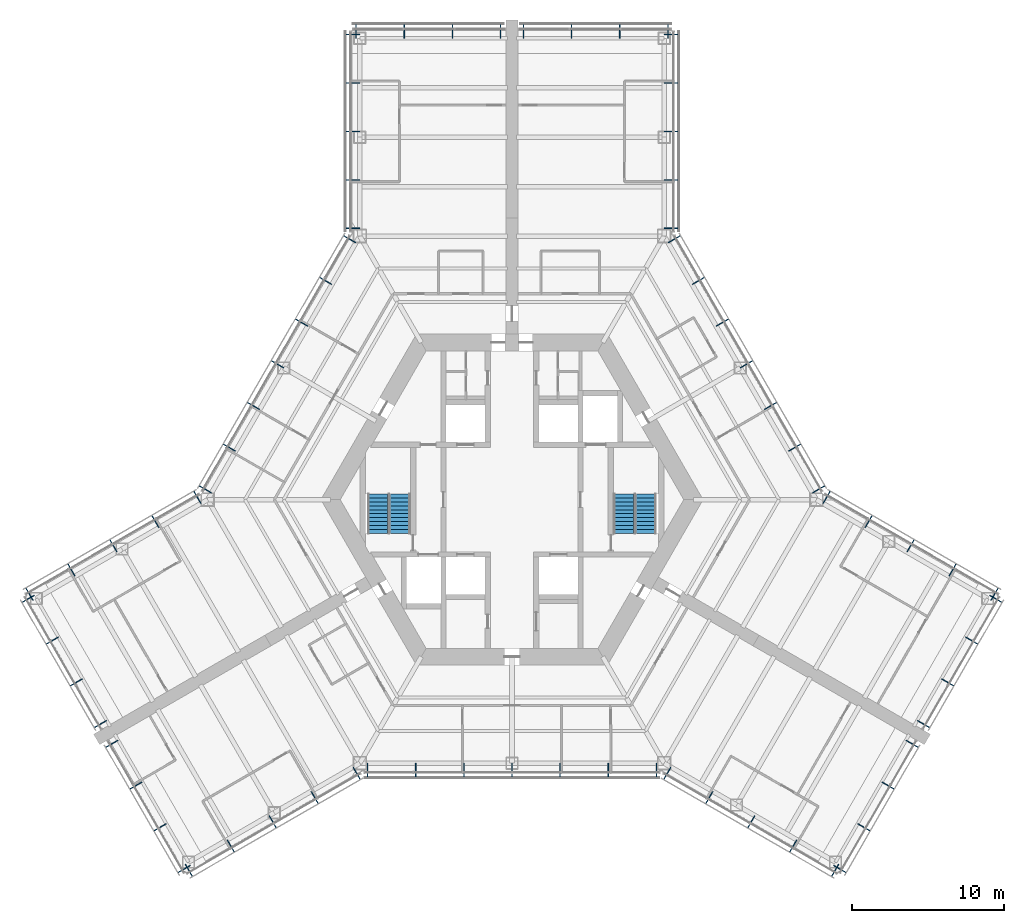
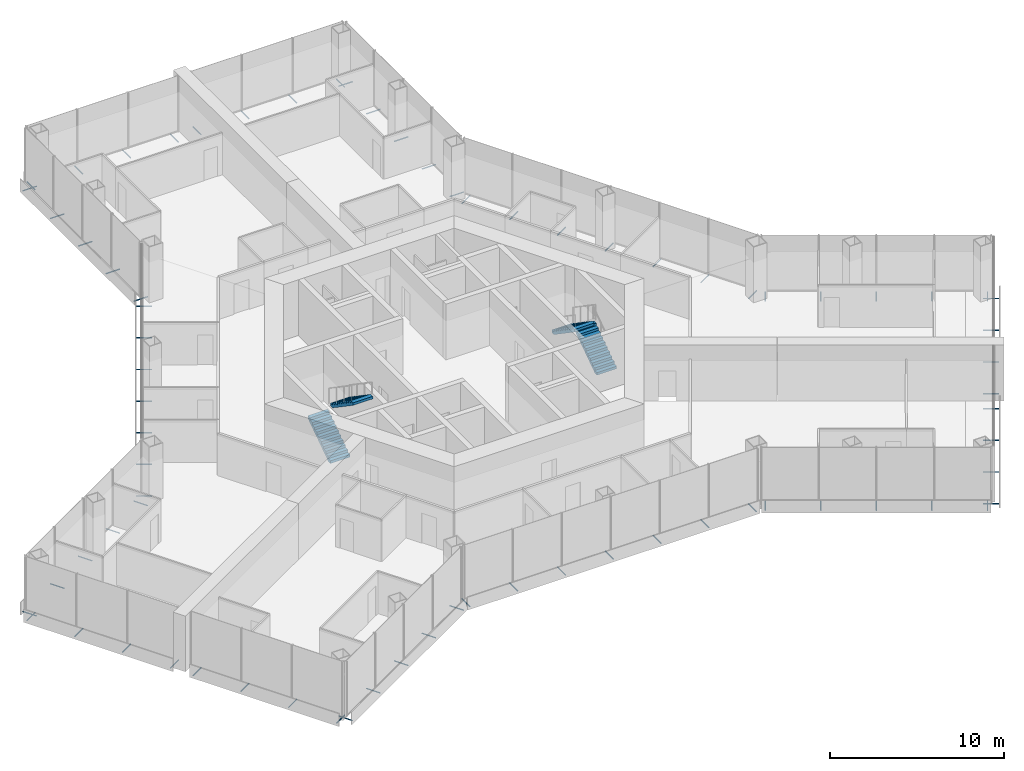
# One storey, part 16 of 18: 75 discrete accessories, 4 stair flights, 2 elements without a shape of their own.
"""IFC4 building model written with IfcOpenShell, lengths in metres."""

from ifc_helpers import new_model, si_unit, direction, frame, origin, origin_2d, place, context, subcontext, project, spatial, polyline, hollow_circle, outline, extrude, material, material_profile, profile_set, type_object, element, aggregate, save


model = new_model("IFC4")

# Units and contexts
model_context = context("Model", 3, precision=1e-05, world=origin(), true_north=direction((0.0, 1.0)))
body_context = subcontext(model_context, "Body", "Model", "MODEL_VIEW")
ifc_project = project(units=[si_unit("LENGTHUNIT", "METRE"), si_unit("AREAUNIT", "SQUARE_METRE"), si_unit("VOLUMEUNIT", "CUBIC_METRE"), si_unit("PLANEANGLEUNIT", "RADIAN"), si_unit("MASSUNIT", "GRAM", prefix="KILO")], contexts=[model_context])

# Site, building, storey
site_placement = place(None, origin())
site = spatial("IfcSite", under=ifc_project, at=site_placement, CompositionType="ELEMENT")
building_placement = place(site_placement, origin())
building = spatial("IfcBuilding", under=site, at=building_placement, Name="Kasaneha Research Tower", CompositionType="ELEMENT")
storey_placement = place(building_placement, frame((0.0, 0.0, 115.800048828125)))
storey = spatial("IfcBuildingStorey", under=building, at=storey_placement, Name="L29", CompositionType="ELEMENT", Elevation=115.800048828125)

# Stair, stair flights
ifc_material_1 = material(Name="Concrete Fc24", Category="concrete")
stair_type = type_object("IfcStairType", Name="Half-turn stair 22 risers", PredefinedType="HALF_TURN_STAIR", material=ifc_material_1)
stair_1_placement = place(storey_placement, origin())
stair_1 = element("IfcStair", 1, at=stair_1_placement, inside=storey, type_object=stair_type, Name="Stair 1 L29", PredefinedType="HALF_TURN_STAIR")
ifc_material_2 = material(Name="Concrete Fc24", Category="concrete")
stair_flight_type = type_object("IfcStairFlightType", Name="Stair flight 11 risers 177.3", PredefinedType="STRAIGHT", material=ifc_material_2)
stair_flight_1_placement = place(storey_placement, frame((8.824951171875, -2.22509765625, 0.0), z_axis=(0.0, 0.0, 1.0), x_axis=(0.0, 1.0, 0.0)))
stair_flight_1 = element("IfcStairFlight", 2, at=stair_flight_1_placement, type_object=stair_flight_type, Name="ST1-22R flight 1", NumberOfRisers=11, NumberOfTreads=10, PredefinedType="STRAIGHT", RiserHeight=0.177272727, TreadLength=0.26, context=body_context, shape_type="SweptSolid", body=[
    extrude(outline(polyline([(0.0, 0.0), (0.0, 0.17724609375), (0.260009765625, 0.17724609375), (0.260009765625, 0.3544921875), (0.52001953125, 0.3544921875), (0.52001953125, 0.53173828125), (0.780029296875, 0.53173828125), (0.780029296875, 0.708984375), (1.0400390625, 0.708984375), (1.0400390625, 0.886474609375), (1.300048828125, 0.886474609375), (1.300048828125, 1.063720703125), (1.56005859375, 1.063720703125), (1.56005859375, 1.240966796875), (1.820068359375, 1.240966796875), (1.820068359375, 1.418212890625), (2.080078125, 1.418212890625), (2.080078125, 1.595458984375), (2.340087890625, 1.595458984375), (2.340087890625, 1.772705078125), (2.60009765625, 1.772705078125), (2.60009765625, 1.949951171875), (2.60009765625, 1.59130859375), (0.26611328125, 0.0), (0.0, 0.0)])), frame((0.0, 0.64990234375, 0.0), z_axis=(0.0, -1.0, 0.0), x_axis=(1.0, 0.0, 0.0)), (0.0, 0.0, 1.0), 1.300048828125),
])
stair_flight_2_placement = place(storey_placement, frame((7.324951171875, 0.375, 1.949951171875), z_axis=(0.0, 0.0, 1.0), x_axis=(0.0, -1.0, 0.0)))
stair_flight_2 = element("IfcStairFlight", 3, at=stair_flight_2_placement, type_object=stair_flight_type, Name="ST1-22R flight 2", NumberOfRisers=11, NumberOfTreads=10, PredefinedType="STRAIGHT", RiserHeight=0.177272727, TreadLength=0.26, context=body_context, shape_type="SweptSolid", body=[
    extrude(outline(polyline([(0.0, 0.0), (0.0, 0.17724609375), (0.260009765625, 0.17724609375), (0.260009765625, 0.3544921875), (0.52001953125, 0.3544921875), (0.52001953125, 0.53173828125), (0.780029296875, 0.53173828125), (0.780029296875, 0.708984375), (1.0400390625, 0.708984375), (1.0400390625, 0.886474609375), (1.300048828125, 0.886474609375), (1.300048828125, 1.063720703125), (1.56005859375, 1.063720703125), (1.56005859375, 1.240966796875), (1.820068359375, 1.240966796875), (1.820068359375, 1.418212890625), (2.080078125, 1.418212890625), (2.080078125, 1.595458984375), (2.340087890625, 1.595458984375), (2.340087890625, 1.772705078125), (2.60009765625, 1.772705078125), (2.60009765625, 1.949951171875), (2.60009765625, 1.59130859375), (0.26611328125, 0.0), (0.0, 0.0)])), frame((0.0, 0.64990234375, 0.0), z_axis=(0.0, -1.0, 0.0), x_axis=(1.0, 0.0, 0.0)), (0.0, 0.0, 1.0), 1.300048828125),
])
aggregate(stair_1, [stair_flight_1, stair_flight_2])

stair_2_placement = place(storey_placement, origin())
stair_2 = element("IfcStair", 4, at=stair_2_placement, inside=storey, type_object=stair_type, Name="Stair 2 L29", PredefinedType="HALF_TURN_STAIR")
stair_flight_3_placement = place(storey_placement, frame((-8.824951171875, -2.22509765625, 0.0), z_axis=(0.0, 0.0, 1.0), x_axis=(0.0, 1.0, 0.0)))
stair_flight_3 = element("IfcStairFlight", 5, at=stair_flight_3_placement, type_object=stair_flight_type, Name="ST2-22R flight 1", NumberOfRisers=11, NumberOfTreads=10, PredefinedType="STRAIGHT", RiserHeight=0.177272727, TreadLength=0.26, context=body_context, shape_type="SweptSolid", body=[
    extrude(outline(polyline([(0.0, 0.0), (0.0, 0.17724609375), (0.260009765625, 0.17724609375), (0.260009765625, 0.3544921875), (0.52001953125, 0.3544921875), (0.52001953125, 0.53173828125), (0.780029296875, 0.53173828125), (0.780029296875, 0.708984375), (1.0400390625, 0.708984375), (1.0400390625, 0.886474609375), (1.300048828125, 0.886474609375), (1.300048828125, 1.063720703125), (1.56005859375, 1.063720703125), (1.56005859375, 1.240966796875), (1.820068359375, 1.240966796875), (1.820068359375, 1.418212890625), (2.080078125, 1.418212890625), (2.080078125, 1.595458984375), (2.340087890625, 1.595458984375), (2.340087890625, 1.772705078125), (2.60009765625, 1.772705078125), (2.60009765625, 1.949951171875), (2.60009765625, 1.59130859375), (0.26611328125, 0.0), (0.0, 0.0)])), frame((0.0, 0.64990234375, 0.0), z_axis=(0.0, -1.0, 0.0), x_axis=(1.0, 0.0, 0.0)), (0.0, 0.0, 1.0), 1.300048828125),
])
stair_flight_4_placement = place(storey_placement, frame((-7.324951171875, 0.375, 1.949951171875), z_axis=(0.0, 0.0, 1.0), x_axis=(0.0, -1.0, 0.0)))
stair_flight_4 = element("IfcStairFlight", 6, at=stair_flight_4_placement, type_object=stair_flight_type, Name="ST2-22R flight 2", NumberOfRisers=11, NumberOfTreads=10, PredefinedType="STRAIGHT", RiserHeight=0.177272727, TreadLength=0.26, context=body_context, shape_type="SweptSolid", body=[
    extrude(outline(polyline([(0.0, 0.0), (0.0, 0.17724609375), (0.260009765625, 0.17724609375), (0.260009765625, 0.3544921875), (0.52001953125, 0.3544921875), (0.52001953125, 0.53173828125), (0.780029296875, 0.53173828125), (0.780029296875, 0.708984375), (1.0400390625, 0.708984375), (1.0400390625, 0.886474609375), (1.300048828125, 0.886474609375), (1.300048828125, 1.063720703125), (1.56005859375, 1.063720703125), (1.56005859375, 1.240966796875), (1.820068359375, 1.240966796875), (1.820068359375, 1.418212890625), (2.080078125, 1.418212890625), (2.080078125, 1.595458984375), (2.340087890625, 1.595458984375), (2.340087890625, 1.772705078125), (2.60009765625, 1.772705078125), (2.60009765625, 1.949951171875), (2.60009765625, 1.59130859375), (0.26611328125, 0.0), (0.0, 0.0)])), frame((0.0, 0.64990234375, 0.0), z_axis=(0.0, -1.0, 0.0), x_axis=(1.0, 0.0, 0.0)), (0.0, 0.0, 1.0), 1.300048828125),
])
aggregate(stair_2, [stair_flight_3, stair_flight_4])

# Discrete accessories
ifc_material_3 = material(Name="Steel STK400", Category="steel")
ifc_material_profile = material_profile(ifc_material_3, hollow_circle(Radius=0.0380859375, WallThickness=0.00390625, at=origin_2d()), Name="CHS-76.3x4.0")
ifc_profile_set = profile_set([ifc_material_profile], Name="Steel STK400")
discrete_accessory_type = type_object("IfcDiscreteAccessoryType", Name="Screen bracket CHS-76.3x4.0", PredefinedType="BRACKET", material=ifc_profile_set)
discrete_accessory_1_placement = place(storey_placement, frame((-21.474853515625, -23.945556640625, -0.300048828125), z_axis=(0.500021113727, -0.866013213425, 0.0), x_axis=(0.866013213425, 0.500021113727, 0.0)))
element("IfcDiscreteAccessory", 7, at=discrete_accessory_1_placement, inside=storey, type_object=discrete_accessory_type, Name="Screen bracket 1", PredefinedType="BRACKET", context=body_context, shape_type="SweptSolid", body=[
    extrude(hollow_circle(Radius=0.0380859375, WallThickness=0.00390625, at=origin_2d()), origin(), (0.0, 0.0, 1.0), 0.919921875),
])
discrete_accessory_2_placement = place(storey_placement, frame((-18.716796875, -22.35302734375, -0.300048828125), z_axis=(0.500105201737, -0.865964657013, 0.0), x_axis=(0.865964657013, 0.500105201737, 0.0)))
element("IfcDiscreteAccessory", 8, at=discrete_accessory_2_placement, inside=storey, type_object=discrete_accessory_type, Name="Screen bracket 2", PredefinedType="BRACKET", context=body_context, shape_type="SweptSolid", body=[
    extrude(hollow_circle(Radius=0.0380859375, WallThickness=0.00390625, at=origin_2d()), origin(), (0.0, 0.0, 1.0), 0.920166015625),
])
discrete_accessory_3_placement = place(storey_placement, frame((-15.95849609375, -20.7607421875, -0.300048828125), z_axis=(0.500021113727, -0.866013213425, 0.0), x_axis=(0.866013213425, 0.500021113727, 0.0)))
element("IfcDiscreteAccessory", 9, at=discrete_accessory_3_placement, inside=storey, type_object=discrete_accessory_type, Name="Screen bracket 3", PredefinedType="BRACKET", context=body_context, shape_type="SweptSolid", body=[
    extrude(hollow_circle(Radius=0.0380859375, WallThickness=0.00390625, at=origin_2d()), origin(), (0.0, 0.0, 1.0), 0.919921875),
])
discrete_accessory_4_placement = place(storey_placement, frame((-13.200439453125, -19.168212890625, -0.300048828125), z_axis=(0.499906209203, -0.866079547155, 0.0), x_axis=(0.866079547155, 0.499906209203, 0.0)))
element("IfcDiscreteAccessory", 10, at=discrete_accessory_4_placement, inside=storey, type_object=discrete_accessory_type, Name="Screen bracket 4", PredefinedType="BRACKET", context=body_context, shape_type="SweptSolid", body=[
    extrude(hollow_circle(Radius=0.0380859375, WallThickness=0.00390625, at=origin_2d()), origin(), (0.0, 0.0, 1.0), 0.920166015625),
])
for number, where, z_axis, x_axis, name in (
    (11, (-10.4423828125, -17.575927734375, -0.300048828125), (0.500021113727, -0.866013213425, 0.0), (0.866013213425, 0.500021113727, 0.0), "Screen bracket 5"),
    (12, (-9.4892578125, -17.320556640625, -0.300048828125), (0.0, -1.0, 0.0), (1.0, 0.0, 0.0), "Screen bracket 1"),
    (13, (-6.326171875, -17.320556640625, -0.300048828125), (0.0, -1.0, 0.0), (1.0, 0.0, 0.0), "Screen bracket 2"),
    (14, (-3.1630859375, -17.320556640625, -0.300048828125), (0.0, -1.0, 0.0), (1.0, 0.0, 0.0), "Screen bracket 3"),
    (15, (0.0, -17.320556640625, -0.300048828125), (0.0, -1.0, 0.0), (1.0, 0.0, 0.0), "Screen bracket 4"),
    (16, (3.1630859375, -17.320556640625, -0.300048828125), (0.0, -1.0, 0.0), (1.0, 0.0, 0.0), "Screen bracket 5"),
    (17, (6.326171875, -17.320556640625, -0.300048828125), (0.0, -1.0, 0.0), (1.0, 0.0, 0.0), "Screen bracket 6"),
    (18, (9.4892578125, -17.320556640625, -0.300048828125), (0.0, -1.0, 0.0), (1.0, 0.0, 0.0), "Screen bracket 7"),
    (19, (10.4423828125, -17.575927734375, -0.300048828125), (-0.500021113727, -0.866013213425, 0.0), (0.866013213425, -0.500021113727, 0.0), "Screen bracket 1"),
):
    element("IfcDiscreteAccessory", number, at=place(storey_placement, frame(where, z_axis=z_axis, x_axis=x_axis)), inside=storey, type_object=discrete_accessory_type, Name=name, PredefinedType="BRACKET", context=body_context, shape_type="SweptSolid", body=[
        extrude(hollow_circle(Radius=0.0380859375, WallThickness=0.00390625, at=origin_2d()), origin(), (0.0, 0.0, 1.0), 0.919921875),
    ])
discrete_accessory_5_placement = place(storey_placement, frame((13.200439453125, -19.168212890625, -0.300048828125), z_axis=(-0.499906209203, -0.866079547155, 0.0), x_axis=(0.866079547155, -0.499906209203, 0.0)))
element("IfcDiscreteAccessory", 20, at=discrete_accessory_5_placement, inside=storey, type_object=discrete_accessory_type, Name="Screen bracket 2", PredefinedType="BRACKET", context=body_context, shape_type="SweptSolid", body=[
    extrude(hollow_circle(Radius=0.0380859375, WallThickness=0.00390625, at=origin_2d()), origin(), (0.0, 0.0, 1.0), 0.920166015625),
])
discrete_accessory_6_placement = place(storey_placement, frame((15.95849609375, -20.7607421875, -0.300048828125), z_axis=(-0.500021113727, -0.866013213425, 0.0), x_axis=(0.866013213425, -0.500021113727, 0.0)))
element("IfcDiscreteAccessory", 21, at=discrete_accessory_6_placement, inside=storey, type_object=discrete_accessory_type, Name="Screen bracket 3", PredefinedType="BRACKET", context=body_context, shape_type="SweptSolid", body=[
    extrude(hollow_circle(Radius=0.0380859375, WallThickness=0.00390625, at=origin_2d()), origin(), (0.0, 0.0, 1.0), 0.919921875),
])
discrete_accessory_7_placement = place(storey_placement, frame((18.716796875, -22.35302734375, -0.300048828125), z_axis=(-0.500105201737, -0.865964657013, 0.0), x_axis=(0.865964657013, -0.500105201737, 0.0)))
element("IfcDiscreteAccessory", 22, at=discrete_accessory_7_placement, inside=storey, type_object=discrete_accessory_type, Name="Screen bracket 4", PredefinedType="BRACKET", context=body_context, shape_type="SweptSolid", body=[
    extrude(hollow_circle(Radius=0.0380859375, WallThickness=0.00390625, at=origin_2d()), origin(), (0.0, 0.0, 1.0), 0.920166015625),
])
discrete_accessory_8_placement = place(storey_placement, frame((21.474853515625, -23.945556640625, -0.300048828125), z_axis=(-0.500021113727, -0.866013213425, 0.0), x_axis=(0.866013213425, -0.500021113727, 0.0)))
element("IfcDiscreteAccessory", 23, at=discrete_accessory_8_placement, inside=storey, type_object=discrete_accessory_type, Name="Screen bracket 5", PredefinedType="BRACKET", context=body_context, shape_type="SweptSolid", body=[
    extrude(hollow_circle(Radius=0.0380859375, WallThickness=0.00390625, at=origin_2d()), origin(), (0.0, 0.0, 1.0), 0.919921875),
])
for number, where, z_axis, x_axis, name in (
    (24, (21.13330078125, -24.037109375, -0.300048828125), (0.866079547155, -0.499906209203, 0.0), (0.499906209203, 0.866079547155, 0.0), "Screen bracket 1"),
    (25, (22.716552734375, -21.294677734375, -0.300048828125), (0.866079547155, -0.499906209203, 0.0), (0.499906209203, 0.866079547155, 0.0), "Screen bracket 2"),
):
    element("IfcDiscreteAccessory", number, at=place(storey_placement, frame(where, z_axis=z_axis, x_axis=x_axis)), inside=storey, type_object=discrete_accessory_type, Name=name, PredefinedType="BRACKET", context=body_context, shape_type="SweptSolid", body=[
        extrude(hollow_circle(Radius=0.0380859375, WallThickness=0.00390625, at=origin_2d()), origin(), (0.0, 0.0, 1.0), 0.920166015625),
    ])
discrete_accessory_9_placement = place(storey_placement, frame((24.300048828125, -18.55224609375, -0.300048828125), z_axis=(0.866013213425, -0.500021113727, 0.0), x_axis=(0.500021113727, 0.866013213425, 0.0)))
element("IfcDiscreteAccessory", 26, at=discrete_accessory_9_placement, inside=storey, type_object=discrete_accessory_type, Name="Screen bracket 3", PredefinedType="BRACKET", context=body_context, shape_type="SweptSolid", body=[
    extrude(hollow_circle(Radius=0.0380859375, WallThickness=0.00390625, at=origin_2d()), origin(), (0.0, 0.0, 1.0), 0.919921875),
])
for number, where, z_axis, x_axis, name in (
    (27, (25.88330078125, -15.809814453125, -0.300048828125), (0.866079547155, -0.499906209203, 0.0), (0.499906209203, 0.866079547155, 0.0), "Screen bracket 4"),
    (28, (26.63330078125, -14.5107421875, -0.300048828125), (0.866079547155, -0.499906209203, 0.0), (0.499906209203, 0.866079547155, 0.0), "Screen bracket 1"),
    (29, (28.216552734375, -11.768310546875, -0.300048828125), (0.866079547155, -0.499906209203, 0.0), (0.499906209203, 0.866079547155, 0.0), "Screen bracket 2"),
):
    element("IfcDiscreteAccessory", number, at=place(storey_placement, frame(where, z_axis=z_axis, x_axis=x_axis)), inside=storey, type_object=discrete_accessory_type, Name=name, PredefinedType="BRACKET", context=body_context, shape_type="SweptSolid", body=[
        extrude(hollow_circle(Radius=0.0380859375, WallThickness=0.00390625, at=origin_2d()), origin(), (0.0, 0.0, 1.0), 0.920166015625),
    ])
discrete_accessory_10_placement = place(storey_placement, frame((29.800048828125, -9.02587890625, -0.300048828125), z_axis=(0.866013213425, -0.500021113727, 0.0), x_axis=(0.500021113727, 0.866013213425, 0.0)))
element("IfcDiscreteAccessory", 30, at=discrete_accessory_10_placement, inside=storey, type_object=discrete_accessory_type, Name="Screen bracket 3", PredefinedType="BRACKET", context=body_context, shape_type="SweptSolid", body=[
    extrude(hollow_circle(Radius=0.0380859375, WallThickness=0.00390625, at=origin_2d()), origin(), (0.0, 0.0, 1.0), 0.919921875),
])
discrete_accessory_11_placement = place(storey_placement, frame((31.38330078125, -6.283447265625, -0.300048828125), z_axis=(0.866079547155, -0.499906209203, 0.0), x_axis=(0.499906209203, 0.866079547155, 0.0)))
element("IfcDiscreteAccessory", 31, at=discrete_accessory_11_placement, inside=storey, type_object=discrete_accessory_type, Name="Screen bracket 4", PredefinedType="BRACKET", context=body_context, shape_type="SweptSolid", body=[
    extrude(hollow_circle(Radius=0.0380859375, WallThickness=0.00390625, at=origin_2d()), origin(), (0.0, 0.0, 1.0), 0.920166015625),
])
discrete_accessory_12_placement = place(storey_placement, frame((31.474853515625, -6.625, -0.300048828125), z_axis=(0.500021113727, 0.866013213425, 0.0), x_axis=(-0.866013213425, 0.500021113727, 0.0)))
element("IfcDiscreteAccessory", 32, at=discrete_accessory_12_placement, inside=storey, type_object=discrete_accessory_type, Name="Screen bracket 1", PredefinedType="BRACKET", context=body_context, shape_type="SweptSolid", body=[
    extrude(hollow_circle(Radius=0.0380859375, WallThickness=0.00390625, at=origin_2d()), origin(), (0.0, 0.0, 1.0), 0.919921875),
])
discrete_accessory_13_placement = place(storey_placement, frame((28.716796875, -5.03271484375, -0.300048828125), z_axis=(0.499906209203, 0.866079547155, 0.0), x_axis=(-0.866079547155, 0.499906209203, 0.0)))
element("IfcDiscreteAccessory", 33, at=discrete_accessory_13_placement, inside=storey, type_object=discrete_accessory_type, Name="Screen bracket 2", PredefinedType="BRACKET", context=body_context, shape_type="SweptSolid", body=[
    extrude(hollow_circle(Radius=0.0380859375, WallThickness=0.00390625, at=origin_2d()), origin(), (0.0, 0.0, 1.0), 0.920166015625),
])
discrete_accessory_14_placement = place(storey_placement, frame((25.95849609375, -3.440185546875, -0.300048828125), z_axis=(0.500220121494, 0.865898279276, 0.0), x_axis=(-0.865898279276, 0.500220121494, 0.0)))
element("IfcDiscreteAccessory", 34, at=discrete_accessory_14_placement, inside=storey, type_object=discrete_accessory_type, Name="Screen bracket 3", PredefinedType="BRACKET", context=body_context, shape_type="SweptSolid", body=[
    extrude(hollow_circle(Radius=0.0380859375, WallThickness=0.00390625, at=origin_2d()), origin(), (0.0, 0.0, 1.0), 0.919921875),
])
discrete_accessory_15_placement = place(storey_placement, frame((23.200439453125, -1.847900390625, -0.300048828125), z_axis=(0.499906209203, 0.866079547155, 0.0), x_axis=(-0.866079547155, 0.499906209203, 0.0)))
element("IfcDiscreteAccessory", 35, at=discrete_accessory_15_placement, inside=storey, type_object=discrete_accessory_type, Name="Screen bracket 4", PredefinedType="BRACKET", context=body_context, shape_type="SweptSolid", body=[
    extrude(hollow_circle(Radius=0.0380859375, WallThickness=0.00390625, at=origin_2d()), origin(), (0.0, 0.0, 1.0), 0.920166015625),
])
for number, where, z_axis, x_axis, name in (
    (36, (20.4423828125, -0.25537109375, -0.300048828125), (0.500021113727, 0.866013213425, 0.0), (-0.866013213425, 0.500021113727, 0.0), "Screen bracket 5"),
    (37, (19.74462890625, 0.4423828125, -0.300048828125), (0.866013213425, 0.500021113727, 0.0), (-0.500021113727, 0.866013213425, 0.0), "Screen bracket 1"),
    (38, (18.1630859375, 3.181640625, -0.300048828125), (0.866013213425, 0.500021113727, 0.0), (-0.500021113727, 0.866013213425, 0.0), "Screen bracket 2"),
    (39, (16.58154296875, 5.9208984375, -0.300048828125), (0.866013213425, 0.500021113727, 0.0), (-0.500021113727, 0.866013213425, 0.0), "Screen bracket 3"),
    (40, (15.0, 8.66015625, -0.300048828125), (0.865898279276, 0.500220121494, 0.0), (-0.500220121494, 0.865898279276, 0.0), "Screen bracket 4"),
    (41, (13.41845703125, 11.399658203125, -0.300048828125), (0.866013213425, 0.500021113727, 0.0), (-0.500021113727, 0.866013213425, 0.0), "Screen bracket 5"),
    (42, (11.8369140625, 14.138916015625, -0.300048828125), (0.866013213425, 0.500021113727, 0.0), (-0.500021113727, 0.866013213425, 0.0), "Screen bracket 6"),
):
    element("IfcDiscreteAccessory", number, at=place(storey_placement, frame(where, z_axis=z_axis, x_axis=x_axis)), inside=storey, type_object=discrete_accessory_type, Name=name, PredefinedType="BRACKET", context=body_context, shape_type="SweptSolid", body=[
        extrude(hollow_circle(Radius=0.0380859375, WallThickness=0.00390625, at=origin_2d()), origin(), (0.0, 0.0, 1.0), 0.919921875),
    ])
discrete_accessory_16_placement = place(storey_placement, frame((10.25537109375, 16.878173828125, -0.300048828125), z_axis=(0.866079547155, 0.499906209203, 0.0), x_axis=(-0.499906209203, 0.866079547155, 0.0)))
element("IfcDiscreteAccessory", 43, at=discrete_accessory_16_placement, inside=storey, type_object=discrete_accessory_type, Name="Screen bracket 7", PredefinedType="BRACKET", context=body_context, shape_type="SweptSolid", body=[
    extrude(hollow_circle(Radius=0.0380859375, WallThickness=0.00390625, at=origin_2d()), origin(), (0.0, 0.0, 1.0), 0.920166015625),
])
for number, where, z_axis, x_axis, name in (
    (44, (10.0, 17.831298828125, -0.300048828125), (1.0, 0.0, 0.0), (0.0, 1.0, 0.0), "Screen bracket 1"),
    (45, (10.0, 21.01611328125, -0.300048828125), (1.0, 0.0, 0.0), (0.0, 1.0, 0.0), "Screen bracket 2"),
    (46, (10.0, 24.200927734375, -0.300048828125), (1.0, 0.0, 0.0), (0.0, 1.0, 0.0), "Screen bracket 3"),
    (47, (10.0, 27.3857421875, -0.300048828125), (1.0, 0.0, 0.0), (0.0, 1.0, 0.0), "Screen bracket 4"),
    (48, (10.0, 30.570556640625, -0.300048828125), (1.0, 0.0, 0.0), (0.0, 1.0, 0.0), "Screen bracket 5"),
    (49, (10.25, 30.320556640625, -0.300048828125), (0.0, 1.0, 0.0), (-1.0, 0.0, 0.0), "Screen bracket 1"),
    (50, (7.083251953125, 30.320556640625, -0.300048828125), (0.0, 1.0, 0.0), (-1.0, 0.0, 0.0), "Screen bracket 2"),
    (51, (3.916748046875, 30.320556640625, -0.300048828125), (0.0, 1.0, 0.0), (-1.0, 0.0, 0.0), "Screen bracket 3"),
    (52, (0.75, 30.320556640625, -0.300048828125), (0.0, 1.0, 0.0), (-1.0, 0.0, 0.0), "Screen bracket 4"),
    (53, (-0.75, 30.320556640625, -0.300048828125), (0.0, 1.0, 0.0), (-1.0, 0.0, 0.0), "Screen bracket 1"),
    (54, (-3.916748046875, 30.320556640625, -0.300048828125), (0.0, 1.0, 0.0), (-1.0, 0.0, 0.0), "Screen bracket 2"),
    (55, (-7.083251953125, 30.320556640625, -0.300048828125), (0.0, 1.0, 0.0), (-1.0, 0.0, 0.0), "Screen bracket 3"),
    (56, (-10.25, 30.320556640625, -0.300048828125), (0.0, 1.0, 0.0), (-1.0, 0.0, 0.0), "Screen bracket 4"),
    (57, (-10.0, 30.570556640625, -0.300048828125), (-1.0, 0.0, 0.0), (0.0, -1.0, 0.0), "Screen bracket 1"),
    (58, (-10.0, 27.3857421875, -0.300048828125), (-1.0, 0.0, 0.0), (0.0, -1.0, 0.0), "Screen bracket 2"),
    (59, (-10.0, 24.200927734375, -0.300048828125), (-1.0, 0.0, 0.0), (0.0, -1.0, 0.0), "Screen bracket 3"),
    (60, (-10.0, 21.01611328125, -0.300048828125), (-1.0, 0.0, 0.0), (0.0, -1.0, 0.0), "Screen bracket 4"),
    (61, (-10.0, 17.831298828125, -0.300048828125), (-1.0, 0.0, 0.0), (0.0, -1.0, 0.0), "Screen bracket 5"),
):
    element("IfcDiscreteAccessory", number, at=place(storey_placement, frame(where, z_axis=z_axis, x_axis=x_axis)), inside=storey, type_object=discrete_accessory_type, Name=name, PredefinedType="BRACKET", context=body_context, shape_type="SweptSolid", body=[
        extrude(hollow_circle(Radius=0.0380859375, WallThickness=0.00390625, at=origin_2d()), origin(), (0.0, 0.0, 1.0), 0.919921875),
    ])
discrete_accessory_17_placement = place(storey_placement, frame((-10.25537109375, 16.878173828125, -0.300048828125), z_axis=(-0.866079547155, 0.499906209203, 0.0), x_axis=(-0.499906209203, -0.866079547155, 0.0)))
element("IfcDiscreteAccessory", 62, at=discrete_accessory_17_placement, inside=storey, type_object=discrete_accessory_type, Name="Screen bracket 1", PredefinedType="BRACKET", context=body_context, shape_type="SweptSolid", body=[
    extrude(hollow_circle(Radius=0.0380859375, WallThickness=0.00390625, at=origin_2d()), origin(), (0.0, 0.0, 1.0), 0.920166015625),
])
for number, where, z_axis, x_axis, name in (
    (63, (-11.8369140625, 14.138916015625, -0.300048828125), (-0.866013213425, 0.500021113727, 0.0), (-0.500021113727, -0.866013213425, 0.0), "Screen bracket 2"),
    (64, (-13.41845703125, 11.399658203125, -0.300048828125), (-0.866013213425, 0.500021113727, 0.0), (-0.500021113727, -0.866013213425, 0.0), "Screen bracket 3"),
    (65, (-15.0, 8.66015625, -0.300048828125), (-0.865898279276, 0.500220121494, 0.0), (-0.500220121494, -0.865898279276, 0.0), "Screen bracket 4"),
    (66, (-16.58154296875, 5.9208984375, -0.300048828125), (-0.866013213425, 0.500021113727, 0.0), (-0.500021113727, -0.866013213425, 0.0), "Screen bracket 5"),
    (67, (-18.1630859375, 3.181640625, -0.300048828125), (-0.866013213425, 0.500021113727, 0.0), (-0.500021113727, -0.866013213425, 0.0), "Screen bracket 6"),
    (68, (-19.74462890625, 0.4423828125, -0.300048828125), (-0.866013213425, 0.500021113727, 0.0), (-0.500021113727, -0.866013213425, 0.0), "Screen bracket 7"),
    (69, (-20.4423828125, -0.25537109375, -0.300048828125), (-0.500021113727, 0.866013213425, 0.0), (-0.866013213425, -0.500021113727, 0.0), "Screen bracket 1"),
):
    element("IfcDiscreteAccessory", number, at=place(storey_placement, frame(where, z_axis=z_axis, x_axis=x_axis)), inside=storey, type_object=discrete_accessory_type, Name=name, PredefinedType="BRACKET", context=body_context, shape_type="SweptSolid", body=[
        extrude(hollow_circle(Radius=0.0380859375, WallThickness=0.00390625, at=origin_2d()), origin(), (0.0, 0.0, 1.0), 0.919921875),
    ])
discrete_accessory_18_placement = place(storey_placement, frame((-23.200439453125, -1.847900390625, -0.300048828125), z_axis=(-0.499906209203, 0.866079547155, 0.0), x_axis=(-0.866079547155, -0.499906209203, 0.0)))
element("IfcDiscreteAccessory", 70, at=discrete_accessory_18_placement, inside=storey, type_object=discrete_accessory_type, Name="Screen bracket 2", PredefinedType="BRACKET", context=body_context, shape_type="SweptSolid", body=[
    extrude(hollow_circle(Radius=0.0380859375, WallThickness=0.00390625, at=origin_2d()), origin(), (0.0, 0.0, 1.0), 0.920166015625),
])
discrete_accessory_19_placement = place(storey_placement, frame((-25.95849609375, -3.440185546875, -0.300048828125), z_axis=(-0.500220121494, 0.865898279276, 0.0), x_axis=(-0.865898279276, -0.500220121494, 0.0)))
element("IfcDiscreteAccessory", 71, at=discrete_accessory_19_placement, inside=storey, type_object=discrete_accessory_type, Name="Screen bracket 3", PredefinedType="BRACKET", context=body_context, shape_type="SweptSolid", body=[
    extrude(hollow_circle(Radius=0.0380859375, WallThickness=0.00390625, at=origin_2d()), origin(), (0.0, 0.0, 1.0), 0.919921875),
])
discrete_accessory_20_placement = place(storey_placement, frame((-28.716796875, -5.03271484375, -0.300048828125), z_axis=(-0.499906209203, 0.866079547155, 0.0), x_axis=(-0.866079547155, -0.499906209203, 0.0)))
element("IfcDiscreteAccessory", 72, at=discrete_accessory_20_placement, inside=storey, type_object=discrete_accessory_type, Name="Screen bracket 4", PredefinedType="BRACKET", context=body_context, shape_type="SweptSolid", body=[
    extrude(hollow_circle(Radius=0.0380859375, WallThickness=0.00390625, at=origin_2d()), origin(), (0.0, 0.0, 1.0), 0.920166015625),
])
discrete_accessory_21_placement = place(storey_placement, frame((-31.474853515625, -6.625, -0.300048828125), z_axis=(-0.500021113727, 0.866013213425, 0.0), x_axis=(-0.866013213425, -0.500021113727, 0.0)))
element("IfcDiscreteAccessory", 73, at=discrete_accessory_21_placement, inside=storey, type_object=discrete_accessory_type, Name="Screen bracket 5", PredefinedType="BRACKET", context=body_context, shape_type="SweptSolid", body=[
    extrude(hollow_circle(Radius=0.0380859375, WallThickness=0.00390625, at=origin_2d()), origin(), (0.0, 0.0, 1.0), 0.919921875),
])
discrete_accessory_22_placement = place(storey_placement, frame((-31.38330078125, -6.283447265625, -0.300048828125), z_axis=(-0.866079547155, -0.499906209203, 0.0), x_axis=(0.499906209203, -0.866079547155, 0.0)))
element("IfcDiscreteAccessory", 74, at=discrete_accessory_22_placement, inside=storey, type_object=discrete_accessory_type, Name="Screen bracket 1", PredefinedType="BRACKET", context=body_context, shape_type="SweptSolid", body=[
    extrude(hollow_circle(Radius=0.0380859375, WallThickness=0.00390625, at=origin_2d()), origin(), (0.0, 0.0, 1.0), 0.920166015625),
])
discrete_accessory_23_placement = place(storey_placement, frame((-29.800048828125, -9.02587890625, -0.300048828125), z_axis=(-0.866013213425, -0.500021113727, 0.0), x_axis=(0.500021113727, -0.866013213425, 0.0)))
element("IfcDiscreteAccessory", 75, at=discrete_accessory_23_placement, inside=storey, type_object=discrete_accessory_type, Name="Screen bracket 2", PredefinedType="BRACKET", context=body_context, shape_type="SweptSolid", body=[
    extrude(hollow_circle(Radius=0.0380859375, WallThickness=0.00390625, at=origin_2d()), origin(), (0.0, 0.0, 1.0), 0.919921875),
])
for number, where, z_axis, x_axis, name in (
    (76, (-28.216552734375, -11.768310546875, -0.300048828125), (-0.866079547155, -0.499906209203, 0.0), (0.499906209203, -0.866079547155, 0.0), "Screen bracket 3"),
    (77, (-26.63330078125, -14.5107421875, -0.300048828125), (-0.866079547155, -0.499906209203, 0.0), (0.499906209203, -0.866079547155, 0.0), "Screen bracket 4"),
    (78, (-25.88330078125, -15.809814453125, -0.300048828125), (-0.866079547155, -0.499906209203, 0.0), (0.499906209203, -0.866079547155, 0.0), "Screen bracket 1"),
):
    element("IfcDiscreteAccessory", number, at=place(storey_placement, frame(where, z_axis=z_axis, x_axis=x_axis)), inside=storey, type_object=discrete_accessory_type, Name=name, PredefinedType="BRACKET", context=body_context, shape_type="SweptSolid", body=[
        extrude(hollow_circle(Radius=0.0380859375, WallThickness=0.00390625, at=origin_2d()), origin(), (0.0, 0.0, 1.0), 0.920166015625),
    ])
discrete_accessory_24_placement = place(storey_placement, frame((-24.300048828125, -18.55224609375, -0.300048828125), z_axis=(-0.866013213425, -0.500021113727, 0.0), x_axis=(0.500021113727, -0.866013213425, 0.0)))
element("IfcDiscreteAccessory", 79, at=discrete_accessory_24_placement, inside=storey, type_object=discrete_accessory_type, Name="Screen bracket 2", PredefinedType="BRACKET", context=body_context, shape_type="SweptSolid", body=[
    extrude(hollow_circle(Radius=0.0380859375, WallThickness=0.00390625, at=origin_2d()), origin(), (0.0, 0.0, 1.0), 0.919921875),
])
for number, where, z_axis, x_axis, name in (
    (80, (-22.716552734375, -21.294677734375, -0.300048828125), (-0.866079547155, -0.499906209203, 0.0), (0.499906209203, -0.866079547155, 0.0), "Screen bracket 3"),
    (81, (-21.13330078125, -24.037109375, -0.300048828125), (-0.866079547155, -0.499906209203, 0.0), (0.499906209203, -0.866079547155, 0.0), "Screen bracket 4"),
):
    element("IfcDiscreteAccessory", number, at=place(storey_placement, frame(where, z_axis=z_axis, x_axis=x_axis)), inside=storey, type_object=discrete_accessory_type, Name=name, PredefinedType="BRACKET", context=body_context, shape_type="SweptSolid", body=[
        extrude(hollow_circle(Radius=0.0380859375, WallThickness=0.00390625, at=origin_2d()), origin(), (0.0, 0.0, 1.0), 0.920166015625),
    ])

save(model, "model.ifc")
